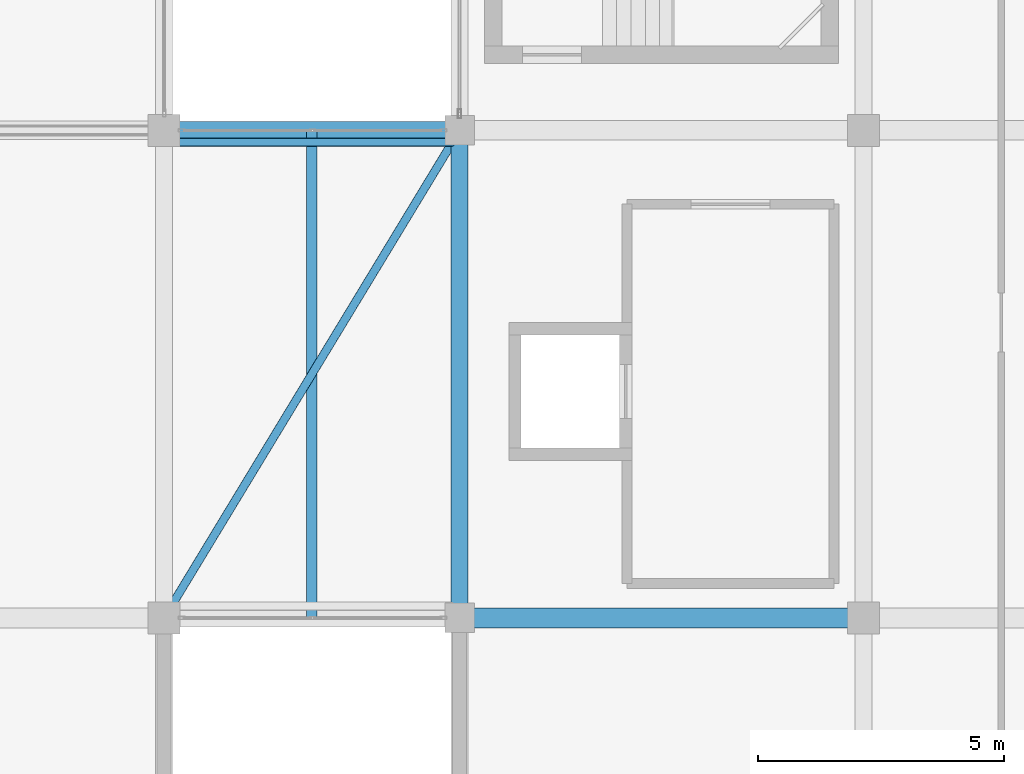
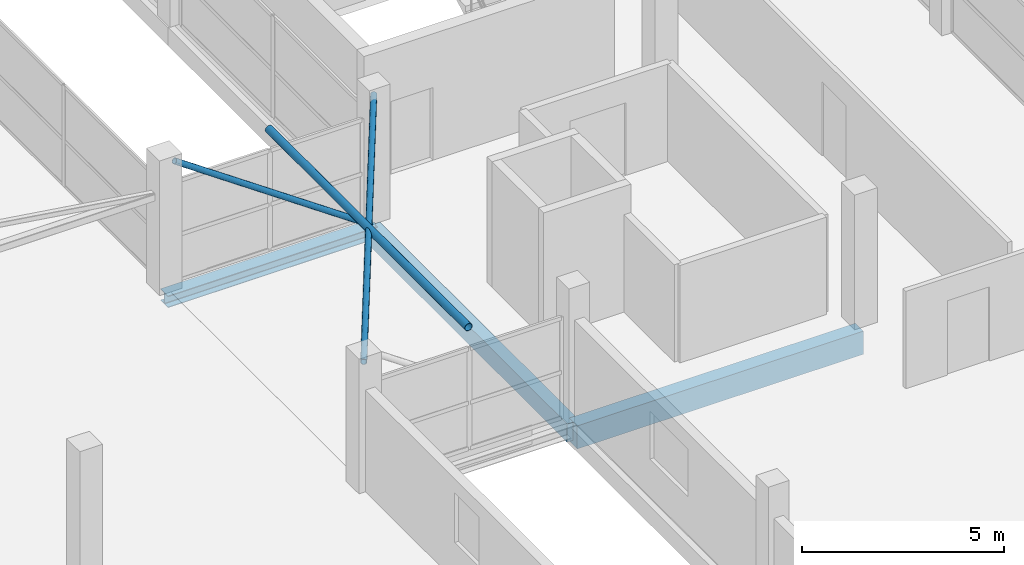
# One storey, part 18 of 70: 3 beams, 3 members.
"""IFC4 building model written with IfcOpenShell, lengths in metres."""

import ifcopenshell
import ifcopenshell.guid

model = None  # the IFC model being written
_history = None  # IfcOwnerHistory: only IFC2X3 demands one
_inside = {}  # id of a spatial element -> (the spatial element, [elements in it])
_under = {}  # id of a project, library or spatial element -> (it, [spatial elements below it])
_declared = {}  # id of a project -> (the project, [libraries it declares])
_typed = {}  # id of a type object -> (the type object, [elements of that type])
_made_of = {}  # id of a material, layer set ... -> (it, [elements and type objects made of it])


def new_model(schema):
    """Start an empty IFC model of exactly this schema.

    Asked for "IFC4X3", IfcOpenShell would pick the latest addendum, in which some entities
    have other attributes; the version numbers below select the first issue.
    IFC2X3 requires an IfcOwnerHistory on every rooted entity: one is made here for all.
    """
    global model, _history
    if schema == "IFC4X3":
        model = ifcopenshell.file(schema_version=(4, 3, 0, 0))
    else:
        model = ifcopenshell.file(schema=schema)
    _inside.clear()
    _under.clear()
    _declared.clear()
    _typed.clear()
    _made_of.clear()
    _history = None
    if model.schema == "IFC2X3":
        org = make("IfcOrganization", Name="unknown")
        user = make(
            "IfcPersonAndOrganization",
            ThePerson=make("IfcPerson", FamilyName="unknown"),
            TheOrganization=org,
        )
        app = make(
            "IfcApplication",
            ApplicationDeveloper=org,
            Version="unknown",
            ApplicationFullName="unknown",
            ApplicationIdentifier="unknown",
        )
        _history = make(
            "IfcOwnerHistory",
            OwningUser=user,
            OwningApplication=app,
            ChangeAction="ADDED",
            CreationDate=0,
        )
    return model


def make(cls, **values):
    """One entity of the class cls with the attributes given. An attribute that is None is left unset."""
    return model.create_entity(
        cls, **{name: value for name, value in values.items() if value is not None}
    )


def rooted(cls, **values):
    """An entity with a GlobalId (a new one), such as an element, a storey or a relation."""
    return make(cls, GlobalId=ifcopenshell.guid.new(), OwnerHistory=_history, **values)


def si_unit(unit_type, name, prefix=None):
    """IfcSIUnit, for example si_unit("LENGTHUNIT", "METRE", prefix="MILLI")."""
    return make("IfcSIUnit", UnitType=unit_type, Prefix=prefix, Name=name)


def assignment(units):
    """IfcUnitAssignment: the units of a project."""
    return None if units is None else make("IfcUnitAssignment", Units=units)


def point(xyz):
    """IfcCartesianPoint."""
    return None if xyz is None else make("IfcCartesianPoint", Coordinates=xyz)


def direction(xyz):
    """IfcDirection."""
    return None if xyz is None else make("IfcDirection", DirectionRatios=xyz)


def frame(location, z_axis=None, x_axis=None):
    """IfcAxis2Placement3D, a coordinate frame: its origin and axes. An axis left out is left unset."""
    return make(
        "IfcAxis2Placement3D",
        Location=point(location),
        Axis=direction(z_axis),
        RefDirection=direction(x_axis),
    )


def frame_2d(location, x_axis=None):
    """IfcAxis2Placement2D, a coordinate frame in the plane: its origin and x axis."""
    return make(
        "IfcAxis2Placement2D", Location=point(location), RefDirection=direction(x_axis)
    )


def origin():
    """The frame at (0, 0, 0) with its axes left unset."""
    return frame((0.0, 0.0, 0.0))


def origin_2d():
    """The frame at (0, 0) in the plane with its x axis left unset."""
    return frame_2d((0.0, 0.0))


def place(relative_to, where):
    """IfcLocalPlacement: puts the frame where relative to a parent placement (None: the world)."""
    return make(
        "IfcLocalPlacement", PlacementRelTo=relative_to, RelativePlacement=where
    )


def context(
    kind, dimensions, precision=None, world=None, true_north=None, identifier=None
):
    """IfcGeometricRepresentationContext, for example the 3D "Model" context."""
    return make(
        "IfcGeometricRepresentationContext",
        ContextIdentifier=identifier,
        ContextType=kind,
        CoordinateSpaceDimension=dimensions,
        Precision=precision,
        WorldCoordinateSystem=world,
        TrueNorth=true_north,
    )


def subcontext(parent, identifier, kind, view, scale=None):
    """IfcGeometricRepresentationSubContext, for example "Body" below "Model"."""
    return make(
        "IfcGeometricRepresentationSubContext",
        ContextIdentifier=identifier,
        ContextType=kind,
        ParentContext=parent,
        TargetScale=scale,
        TargetView=view,
    )


def project(units=None, contexts=None):
    """IfcProject with its units and contexts."""
    return rooted(
        "IfcProject",
        Name="project",
        RepresentationContexts=contexts,
        UnitsInContext=assignment(units),
    )


def spatial(cls, under=None, at=None, **own):
    """A site, building, storey or space (cls), placed at a placement, below another one or the project."""
    s = rooted(cls, ObjectPlacement=at, **own)
    if under is not None:
        _under.setdefault(under.id(), (under, []))[1].append(s)
    return s


def profile(cls, at=None, kind="AREA", **sizes):
    """A parametric profile (cls). Its sizes go by their IFC names, for example OverallWidth=200.0."""
    return make(cls, ProfileType=kind, Position=at, **sizes)


def rectangle(**sizes):
    """IfcRectangleProfileDef."""
    return profile("IfcRectangleProfileDef", **sizes)


def hollow_circle(**sizes):
    """IfcCircleHollowProfileDef."""
    return profile("IfcCircleHollowProfileDef", **sizes)


def i_section(**sizes):
    """IfcIShapeProfileDef."""
    return profile("IfcIShapeProfileDef", **sizes)


def extrude(swept, where, along, depth):
    """IfcExtrudedAreaSolid: the profile swept, set in the frame where, extruded along a direction by depth."""
    return make(
        "IfcExtrudedAreaSolid",
        SweptArea=swept,
        Position=where,
        ExtrudedDirection=direction(along),
        Depth=depth,
    )


def shape(context_of_items, identifier, shape_type, items):
    """IfcShapeRepresentation: the items that make up one representation, for example the "Body"."""
    return make(
        "IfcShapeRepresentation",
        ContextOfItems=context_of_items,
        RepresentationIdentifier=identifier,
        RepresentationType=shape_type,
        Items=items,
    )


def material(Name=None, Category=None):
    """IfcMaterial."""
    return make("IfcMaterial", Name=Name, Category=Category)


def material_profile(
    of_material, cross_section, Name=None, Category=None, Priority=None
):
    """IfcMaterialProfile: a cross section and its material."""
    return make(
        "IfcMaterialProfile",
        Name=Name,
        Material=of_material,
        Profile=cross_section,
        Priority=Priority,
        Category=Category,
    )


def profile_set(profiles, Name=None, composite=None):
    """IfcMaterialProfileSet."""
    return make(
        "IfcMaterialProfileSet",
        Name=Name,
        MaterialProfiles=profiles,
        CompositeProfile=composite,
    )


def made_of(thing, what):
    """Note that an element or type object is made of a material, layer set ...; save() writes the relation."""
    if what is not None:
        _made_of.setdefault(what.id(), (what, []))[1].append(thing)
    return thing


def type_object(cls, material=None, **own):
    """A type object (cls), such as IfcWallType, which elements share."""
    return made_of(rooted(cls, **own), material)


def element(
    cls,
    number,
    at=None,
    inside=None,
    cuts=None,
    type_object=None,
    material=None,
    context=None,
    identifier="Body",
    shape_type=None,
    held_by="IfcProductDefinitionShape",
    body=None,
    shapes=None,
    **own,
):
    """One element of the class cls, such as IfcWall. Its Tag is "e" and its number.

    at: its placement. inside: the storey or other place that contains it. cuts: it is an
    opening in that element (IfcRelVoidsElement). A single representation is given by context,
    identifier, shape_type and body (its items); several are given by shapes. held_by: the class
    of the entity that holds the representations. save() writes the other relations.
    """
    e = rooted(cls, Tag="e%d" % number, ObjectPlacement=at, **own)
    if body is not None:
        shapes = [shape(context, identifier, shape_type, body)]
    if shapes is not None:
        e.Representation = make(held_by, Representations=shapes)
    if inside is not None:
        _inside.setdefault(inside.id(), (inside, []))[1].append(e)
    if cuts is not None:
        rooted(
            "IfcRelVoidsElement", RelatingBuildingElement=cuts, RelatedOpeningElement=e
        )
    if type_object is not None:
        _typed.setdefault(type_object.id(), (type_object, []))[1].append(e)
    return made_of(e, material)


def aggregate(whole, parts):
    """IfcRelAggregates: a whole, such as a stair, and the parts it consists of."""
    return rooted("IfcRelAggregates", RelatingObject=whole, RelatedObjects=parts)


def save(model, path):
    """Write the relations noted so far, then the file.

    IfcRelAggregates (storeys below a building ...), IfcRelContainedInSpatialStructure (elements
    in a storey), IfcRelDefinesByType, IfcRelAssociatesMaterial and IfcRelDeclares: one each for
    every whole, place, type object, material and project.
    """
    for whole, parts in _under.values():
        aggregate(whole, parts)
    for where, things in _inside.values():
        rooted(
            "IfcRelContainedInSpatialStructure",
            RelatedElements=things,
            RelatingStructure=where,
        )
    for kind, things in _typed.values():
        rooted("IfcRelDefinesByType", RelatedObjects=things, RelatingType=kind)
    for what, things in _made_of.values():
        rooted("IfcRelAssociatesMaterial", RelatedObjects=things, RelatingMaterial=what)
    for by, libraries in _declared.values():
        rooted("IfcRelDeclares", RelatingContext=by, RelatedDefinitions=libraries)
    model.write(path)


model = new_model("IFC4")

# Units and contexts
model_context = context("Model", 3, precision=1e-05, world=origin(), true_north=direction((0.0, 1.0)))
body_context = subcontext(model_context, "Body", "Model", "MODEL_VIEW")
ifc_project = project(units=[si_unit("LENGTHUNIT", "METRE"), si_unit("AREAUNIT", "SQUARE_METRE"), si_unit("VOLUMEUNIT", "CUBIC_METRE"), si_unit("PLANEANGLEUNIT", "RADIAN"), si_unit("MASSUNIT", "GRAM", prefix="KILO")], contexts=[model_context])

# Site, building, storey
site_placement = place(None, origin())
site = spatial("IfcSite", under=ifc_project, at=site_placement, CompositionType="ELEMENT")
building_placement = place(site_placement, origin())
building = spatial("IfcBuilding", under=site, at=building_placement, Name="Sillaruma Civic Art Gallery", CompositionType="ELEMENT")
storey_placement = place(building_placement, frame((0.0, 0.0, 66.300048828125)))
storey = spatial("IfcBuildingStorey", under=building, at=storey_placement, Name="L13", CompositionType="ELEMENT", Elevation=66.300048828125)

# Beams
ifc_material_1 = material(Name="Concrete H35 (35 MPa)", Category="concrete")
ifc_material_profile_1 = material_profile(ifc_material_1, rectangle(XDim=0.39990234375, YDim=0.699951171875, at=origin_2d()), Name="RCB400x700")
ifc_profile_set_1 = profile_set([ifc_material_profile_1], Name="Concrete H35 (35 MPa)")
beam_type_1 = type_object("IfcBeamType", Name="BM-BEAM-RCB400x700", PredefinedType="BEAM", material=ifc_profile_set_1)
beam_1_placement = place(storey_placement, frame((98.0, 39.60009765625, -0.580078125), z_axis=(1.0, 0.0, 0.0), x_axis=(0.0, 1.0, 0.0)))
element("IfcBeam", 1, at=beam_1_placement, inside=storey, type_object=beam_type_1, Name="Beam BM-04 (L12:5:L-M)", PredefinedType="BEAM", context=body_context, shape_type="SweptSolid", body=[
    extrude(rectangle(XDim=0.39990234375, YDim=0.699951171875, at=origin_2d()), origin(), (0.0, 0.0, 1.0), 8.199951171875),
])
ifc_material_2 = material(Name="Structural Steel ASTM A992 Gr.50", Category="steel")
ifc_material_profile_2 = material_profile(ifc_material_2, i_section(OverallWidth=0.368896484375, OverallDepth=0.35595703125, WebThickness=0.01123046875, FlangeThickness=0.01806640625, FilletRadius=0.014892578125, at=origin_2d()), Name="W360x134")
ifc_profile_set_2 = profile_set([ifc_material_profile_2], Name="Structural Steel ASTM A992 Gr.50")
beam_type_2 = type_object("IfcBeamType", Name="BM-BRIDGE-W360x134", PredefinedType="SPANDREL", material=ifc_profile_set_2)
beam_2_placement = place(storey_placement, frame((92.0, 49.5, -0.387939453125), z_axis=(1.0, 0.0, 0.0), x_axis=(0.0, 1.0, 0.0)))
element("IfcBeam", 2, at=beam_2_placement, inside=storey, type_object=beam_type_2, Name="Sky-Bridge Steel Edge Girder (BRG-S:L13:N)", PredefinedType="SPANDREL", context=body_context, shape_type="SweptSolid", body=[
    extrude(i_section(OverallWidth=0.368896484375, OverallDepth=0.35595703125, WebThickness=0.01123046875, FlangeThickness=0.01806640625, FilletRadius=0.014892578125, at=origin_2d()), origin(), (0.0, 0.0, 1.0), 6.0),
])
ifc_material_profile_3 = material_profile(ifc_material_1, rectangle(XDim=0.35009765625, YDim=0.550048828125, at=origin_2d()), Name="RCB350x550")
ifc_profile_set_3 = profile_set([ifc_material_profile_3], Name="Concrete H35 (35 MPa)")
beam_type_3 = type_object("IfcBeamType", Name="BM-SPANDREL-RCB350x550", PredefinedType="SPANDREL", material=ifc_profile_set_3)
beam_3_placement = place(storey_placement, frame((98.0, 39.60009765625, -0.505126953125), z_axis=(0.0, 1.0, 0.0), x_axis=(-1.0, 0.0, 0.0)))
element("IfcBeam", 3, at=beam_3_placement, inside=storey, type_object=beam_type_3, Name="Beam BS-04 (L12:L:5-6)", PredefinedType="SPANDREL", context=body_context, shape_type="SweptSolid", body=[
    extrude(rectangle(XDim=0.35009765625, YDim=0.550048828125, at=origin_2d()), origin(), (0.0, 0.0, 1.0), 9.89990234375),
])

# Members
ifc_material_3 = material(Name="Structural Steel ASTM A500 Gr.C", Category="steel")
ifc_material_profile_4 = material_profile(ifc_material_3, hollow_circle(Radius=0.084228515625, WallThickness=0.007080078125, at=origin_2d()), Name="CHS168.3x7.1")
ifc_profile_set_4 = profile_set([ifc_material_profile_4], Name="Structural Steel ASTM A500 Gr.C")
member_type_1 = type_object("IfcMemberType", Name="MEM-BRIDGE-BRACE", PredefinedType="BRACE", material=ifc_profile_set_4)
member_1_placement = place(storey_placement, frame((97.85009765625, 49.260009765625, -0.080078125), z_axis=(-0.821944981473, 0.0, 0.569566894606), x_axis=(0.0, -1.0, 0.0)))
element("IfcMember", 4, at=member_1_placement, inside=storey, type_object=member_type_1, Name="Sky-Bridge Elevation Truss Web Brace (BRG-S:L13:N)", PredefinedType="BRACE", context=body_context, shape_type="SweptSolid", body=[
    extrude(hollow_circle(Radius=0.084228515625, WallThickness=0.007080078125, at=origin_2d()), origin(), (0.0, 0.0, 1.0), 6.93505859375),
])
member_2_placement = place(storey_placement, frame((92.0, 39.60009765625, 3.69189453125), z_axis=(0.518305455332, 0.855195565337, 0.0), x_axis=(-0.855195565337, 0.518305455332, 0.0)))
element("IfcMember", 5, at=member_2_placement, inside=storey, type_object=member_type_1, Name="Sky-Bridge Diagonal Plan Brace (BRG-S:L14)", PredefinedType="BRACE", context=body_context, shape_type="SweptSolid", body=[
    extrude(hollow_circle(Radius=0.084228515625, WallThickness=0.007080078125, at=origin_2d()), origin(), (0.0, 0.0, 1.0), 11.576171875),
])
ifc_material_profile_5 = material_profile(ifc_material_3, hollow_circle(Radius=0.109619140625, WallThickness=0.00830078125, at=origin_2d()), Name="CHS219.1x8.2")
ifc_profile_set_5 = profile_set([ifc_material_profile_5], Name="Structural Steel ASTM A500 Gr.C")
member_type_2 = type_object("IfcMemberType", Name="MEM-BRIDGE-STRUT", PredefinedType="STRUT", material=ifc_profile_set_5)
member_3_placement = place(storey_placement, frame((95.0, 39.60009765625, 3.69189453125), z_axis=(0.0, 1.0, 0.0), x_axis=(-1.0, 0.0, 0.0)))
element("IfcMember", 6, at=member_3_placement, inside=storey, type_object=member_type_2, Name="Sky-Bridge Transverse Strut (BRG-S:L14)", PredefinedType="STRUT", context=body_context, shape_type="SweptSolid", body=[
    extrude(hollow_circle(Radius=0.109619140625, WallThickness=0.00830078125, at=origin_2d()), origin(), (0.0, 0.0, 1.0), 9.89990234375),
])

save(model, "model.ifc")
